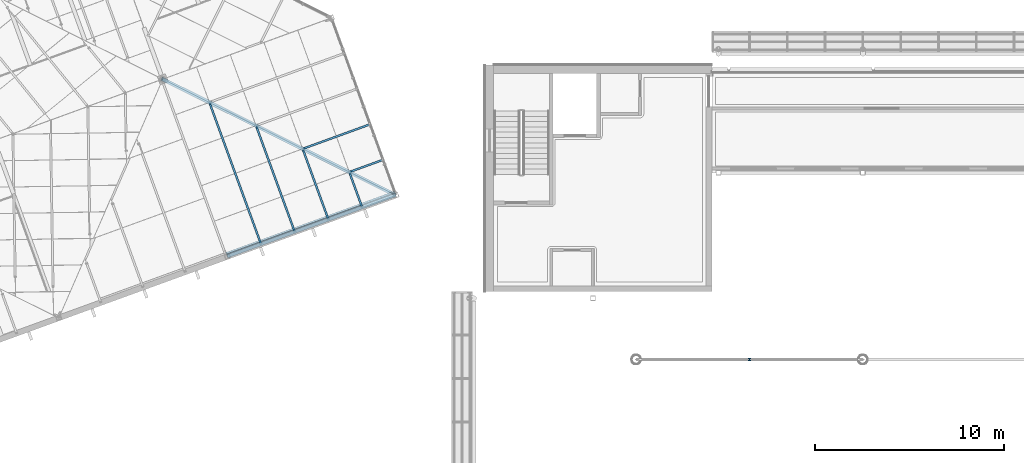
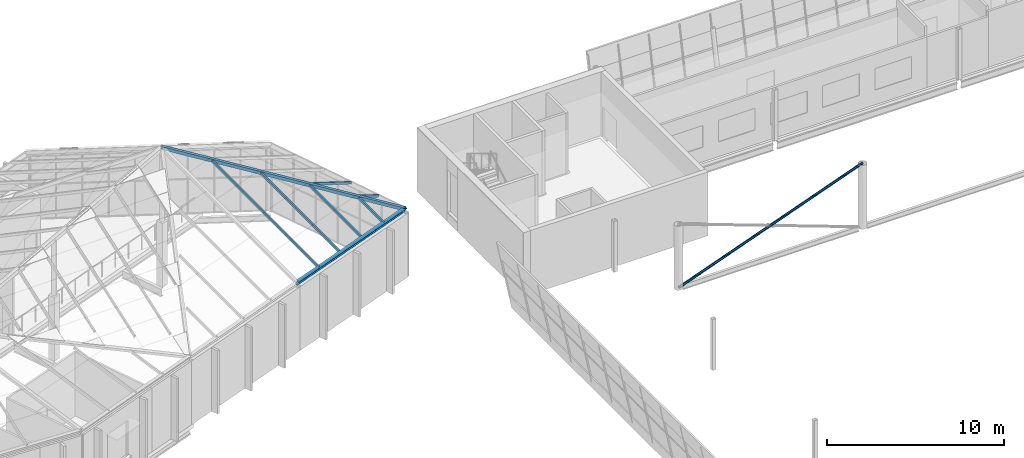
# One storey, part 23 of 95: 8 members, 1 beam.
"""IFC4 building model written with IfcOpenShell, lengths in metres."""

from ifc_helpers import new_model, si_unit, direction, frame, origin, origin_2d, place, context, subcontext, project, spatial, hollow_rectangle, hollow_circle, i_section, extrude, material, material_profile, profile_set, type_object, element, save


model = new_model("IFC4")

# Units and contexts
model_context = context("Model", 3, precision=1e-05, world=origin(), true_north=direction((0.0, 1.0)))
body_context = subcontext(model_context, "Body", "Model", "MODEL_VIEW")
ifc_project = project(units=[si_unit("LENGTHUNIT", "METRE"), si_unit("AREAUNIT", "SQUARE_METRE"), si_unit("VOLUMEUNIT", "CUBIC_METRE"), si_unit("PLANEANGLEUNIT", "RADIAN"), si_unit("MASSUNIT", "GRAM", prefix="KILO")], contexts=[model_context])

# Site, building, storey
site_placement = place(None, origin())
site = spatial("IfcSite", under=ifc_project, at=site_placement, CompositionType="ELEMENT")
building_placement = place(site_placement, origin())
building = spatial("IfcBuilding", under=site, at=building_placement, Name="Windward Yard Aquatics Centre", CompositionType="ELEMENT")
storey_placement = place(building_placement, frame((0.0, 0.0, 9.39990234375)))
storey = spatial("IfcBuildingStorey", under=building, at=storey_placement, Name="L02", CompositionType="ELEMENT", Elevation=9.39990234375)

# Members
ifc_material_1 = material(Name="Steel S355", Category="steel")
ifc_material_profile_1 = material_profile(ifc_material_1, hollow_rectangle(XDim=0.202880859375, YDim=0.202880859375, WallThickness=0.0087890625, at=origin_2d()), Name="HSS203x203x9.5")
ifc_profile_set_1 = profile_set([ifc_material_profile_1], Name="Steel S355")
member_type_1 = type_object("IfcMemberType", Name="F HSS203x203x9.5 brace", PredefinedType="BRACE", material=ifc_profile_set_1)
member_1_placement = place(storey_placement, frame((47.233154296875, 89.11962890625, 4.6220703125), z_axis=(-0.844488405648, 0.420474206957, 0.331723942473), x_axis=(-0.441107753163, -0.897337639485, 0.014460666032)))
element("IfcMember", 1, at=member_1_placement, inside=storey, type_object=member_type_1, Name="F.RF.H.14", PredefinedType="BRACE", context=body_context, shape_type="SweptSolid", body=[
    extrude(hollow_rectangle(XDim=0.202880859375, YDim=0.202880859375, WallThickness=0.0087890625, at=origin_2d()), origin(), (0.0, 0.0, 1.0), 14.620849609375),
])
ifc_material_profile_2 = material_profile(ifc_material_1, hollow_rectangle(XDim=0.10009765625, YDim=0.14990234375, WallThickness=0.006103515625, at=origin_2d()), Name="RHS150x100x6")
ifc_profile_set_2 = profile_set([ifc_material_profile_2], Name="Steel S355")
member_type_2 = type_object("IfcMemberType", Name="F RHS150x100x6 rafter", PredefinedType="RAFTER", material=ifc_profile_set_2)
member_2_placement = place(storey_placement, frame((45.472412109375, 88.4970703125, 4.650146484375), z_axis=(-0.307782881375, 0.845488658802, 0.436369826832), x_axis=(-0.939674696744, -0.342069385211, 0.0)))
element("IfcMember", 2, at=member_2_placement, inside=storey, type_object=member_type_2, Name="F.RF.R.02.01", PredefinedType="RAFTER", context=body_context, shape_type="SweptSolid", body=[
    extrude(hollow_rectangle(XDim=0.10009765625, YDim=0.14990234375, WallThickness=0.006103515625, at=origin_2d()), origin(), (0.0, 0.0, 1.0), 2.069580078125),
])
member_3_placement = place(storey_placement, frame((43.68701171875, 87.847412109375, 4.650146484375), z_axis=(-0.307716395489, 0.845509097771, 0.436377113898), x_axis=(-0.939701103556, -0.341996836208, 0.0)))
element("IfcMember", 3, at=member_3_placement, inside=storey, type_object=member_type_2, Name="F.RF.R.02.02", PredefinedType="RAFTER", context=body_context, shape_type="SweptSolid", body=[
    extrude(hollow_rectangle(XDim=0.10009765625, YDim=0.14990234375, WallThickness=0.006103515625, at=origin_2d()), origin(), (0.0, 0.0, 1.0), 4.292236328125),
])
member_4_placement = place(storey_placement, frame((41.901611328125, 87.197509765625, 4.650146484375), z_axis=(-0.307758092072, 0.845482263658, 0.436399700508), x_axis=(-0.939682720709, -0.342047342338, 0.0)))
element("IfcMember", 4, at=member_4_placement, inside=storey, type_object=member_type_2, Name="F.RF.R.02.03", PredefinedType="RAFTER", context=body_context, shape_type="SweptSolid", body=[
    extrude(hollow_rectangle(XDim=0.10009765625, YDim=0.14990234375, WallThickness=0.006103515625, at=origin_2d()), origin(), (0.0, 0.0, 1.0), 6.515380859375),
])
member_5_placement = place(storey_placement, frame((40.1162109375, 86.547607421875, 4.650146484375), z_axis=(-0.307757032731, 0.845486660688, 0.436391928664), x_axis=(-0.93968367088, -0.34204473199, 0.0)))
element("IfcMember", 5, at=member_5_placement, inside=storey, type_object=member_type_2, Name="F.RF.R.02.04", PredefinedType="RAFTER", context=body_context, shape_type="SweptSolid", body=[
    extrude(hollow_rectangle(XDim=0.10009765625, YDim=0.14990234375, WallThickness=0.006103515625, at=origin_2d()), origin(), (0.0, 0.0, 1.0), 8.738037109375),
])
member_6_placement = place(storey_placement, frame((45.85888671875, 92.843017578125, 4.651123046875), z_axis=(-0.836918352327, -0.304614100762, 0.454728403725), x_axis=(0.342020869076, -0.939692356634, 0.0)))
element("IfcMember", 6, at=member_6_placement, inside=storey, type_object=member_type_2, Name="F.RF.R.03.03", PredefinedType="RAFTER", context=body_context, shape_type="SweptSolid", body=[
    extrude(hollow_rectangle(XDim=0.10009765625, YDim=0.14990234375, WallThickness=0.006103515625, at=origin_2d()), origin(), (0.0, 0.0, 1.0), 4.11962890625),
])
member_7_placement = place(storey_placement, frame((46.54296875, 90.963623046875, 4.651123046875), z_axis=(-0.836954195203, -0.304592817699, 0.454676687921), x_axis=(0.34198683429, -0.939704743615, 0.0)))
element("IfcMember", 7, at=member_7_placement, inside=storey, type_object=member_type_2, Name="F.RF.R.03.04", PredefinedType="RAFTER", context=body_context, shape_type="SweptSolid", body=[
    extrude(hollow_rectangle(XDim=0.10009765625, YDim=0.14990234375, WallThickness=0.006103515625, at=origin_2d()), origin(), (0.0, 0.0, 1.0), 1.986083984375),
])

# Beam
ifc_material_profile_3 = material_profile(ifc_material_1, i_section(OverallWidth=0.202880859375, OverallDepth=0.302001953125, WebThickness=0.007568359375, FlangeThickness=0.01318359375, at=origin_2d()), Name="W310x60")
ifc_profile_set_3 = profile_set([ifc_material_profile_3], Name="Steel S355")
beam_type = type_object("IfcBeamType", Name="F W310x60 beam", PredefinedType="BEAM", material=ifc_profile_set_3)
beam_placement = place(storey_placement, frame((38.3193359375, 85.928955078125, 4.581787109375), z_axis=(0.939700347943, 0.341998912389, 0.0), x_axis=(-0.307717102338, 0.845505227238, 0.436384114791)))
element("IfcBeam", 8, at=beam_placement, inside=storey, type_object=beam_type, Name="F.RF.E.13", PredefinedType="BEAM", context=body_context, shape_type="SweptSolid", body=[
    extrude(i_section(OverallWidth=0.202880859375, OverallDepth=0.302001953125, WebThickness=0.007568359375, FlangeThickness=0.01318359375, at=origin_2d()), origin(), (0.0, 0.0, 1.0), 9.5),
])

# Member
ifc_material_2 = material(Name="Steel ASTM A500 Gr C", Category="steel")
ifc_material_profile_4 = material_profile(ifc_material_2, hollow_circle(Radius=0.084228515625, WallThickness=0.010986328125, at=origin_2d()), Name="HSS168.3X11")
ifc_profile_set_4 = profile_set([ifc_material_profile_4], Name="Steel ASTM A500 Gr C")
member_type_3 = type_object("IfcMemberType", Name="H column brace HSS168.3X11", PredefinedType="BRACE", material=ifc_profile_set_4)
member_8_placement = place(storey_placement, frame((60.0, 80.39990234375, 0.0), z_axis=(0.938872611543, 0.0, 0.344264751746), x_axis=(0.0, 1.0, 0.0)))
element("IfcMember", 9, at=member_8_placement, inside=storey, type_object=member_type_3, Name="H.VB.N1.L02.A", PredefinedType="BRACE", context=body_context, shape_type="SweptSolid", body=[
    extrude(hollow_circle(Radius=0.084228515625, WallThickness=0.010986328125, at=origin_2d()), origin(), (0.0, 0.0, 1.0), 12.78125),
])

save(model, "model.ifc")
